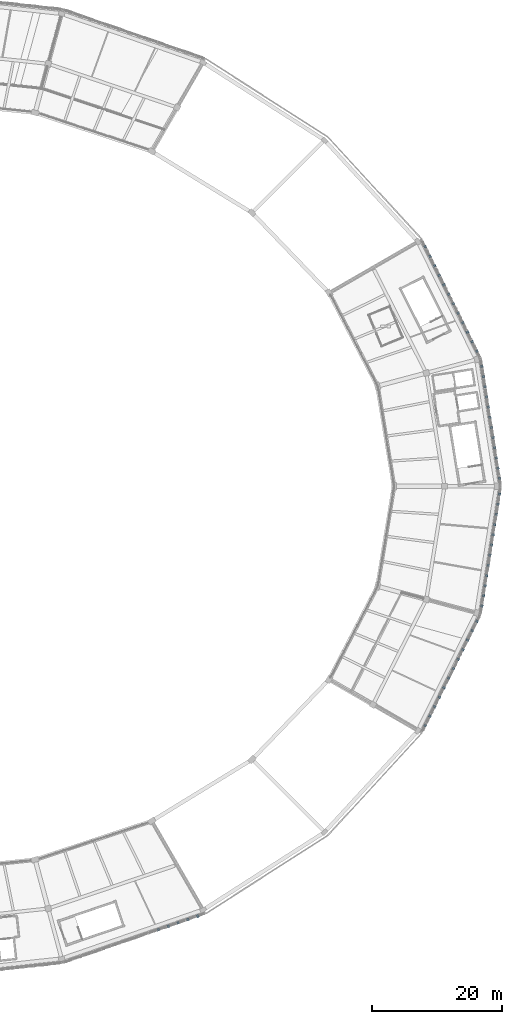
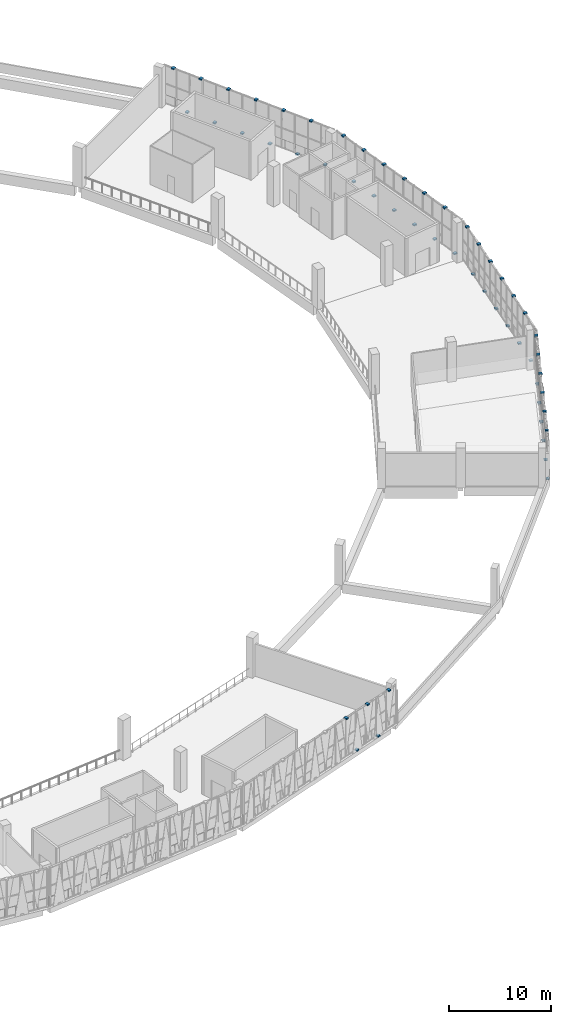
# One storey, part 53 of 64: 53 discrete accessories.
"""IFC4 building model written with IfcOpenShell, lengths in metres."""

from ifc_helpers import new_model, si_unit, direction, frame, origin, origin_2d, place, context, subcontext, project, spatial, rectangle, extrude, material, layer, layer_set, type_object, element, save


model = new_model("IFC4")

# Units and contexts
model_context = context("Model", 3, precision=1e-05, world=origin(), true_north=direction((0.0, 1.0)))
body_context = subcontext(model_context, "Body", "Model", "MODEL_VIEW")
ifc_project = project(units=[si_unit("LENGTHUNIT", "METRE"), si_unit("AREAUNIT", "SQUARE_METRE"), si_unit("VOLUMEUNIT", "CUBIC_METRE"), si_unit("PLANEANGLEUNIT", "RADIAN"), si_unit("MASSUNIT", "GRAM", prefix="KILO")], contexts=[model_context])

# Site, building, storey
site_placement = place(None, origin())
site = spatial("IfcSite", under=ifc_project, at=site_placement, CompositionType="ELEMENT")
building_placement = place(site_placement, origin())
building = spatial("IfcBuilding", under=site, at=building_placement, Name="Zevraka Park Crest Stadium", CompositionType="ELEMENT")
storey_placement = place(building_placement, frame((0.0, 0.0, 24.60009765625)))
storey = spatial("IfcBuildingStorey", under=building, at=storey_placement, Name="L05", CompositionType="ELEMENT", Elevation=24.60009765625)

# Discrete accessories
ifc_material = material(Name="Galvanised steel bracketry", Category="steel")
ifc_layer = layer(ifc_material, 0.1201171875)
ifc_layer_set = layer_set([ifc_layer], Name="Galvanised steel bracketry")
discrete_accessory_type = type_object("IfcDiscreteAccessoryType", Name="BRK01", PredefinedType="BRACKET", material=ifc_layer_set)
for number, where, z_axis, x_axis, name in (
    (1, (202.748046875, 93.218017578125, -0.16015625), (0.0, 0.0, 1.0), (-0.155744890433, 0.987797311752, 0.0), "Bronze Screen Carrier Bracket BRK01 L05-00-1"),
    (2, (202.5009765625, 94.782958984375, 4.47998046875), (0.0, 0.0, 1.0), (-0.155744890433, 0.987797311752, 0.0), "Bronze Screen Carrier Bracket BRK01 L05-00-2"),
    (3, (202.25390625, 96.347900390625, -0.16015625), (0.0, 0.0, 1.0), (-0.155744890433, 0.987797311752, 0.0), "Bronze Screen Carrier Bracket BRK01 L05-00-3"),
    (4, (202.007080078125, 97.9130859375, 4.47998046875), (0.0, 0.0, 1.0), (-0.155744890433, 0.987797311752, 0.0), "Bronze Screen Carrier Bracket BRK01 L05-00-4"),
    (5, (201.760986328125, 99.47802734375, -0.16015625), (0.0, 0.0, 1.0), (-0.155744890433, 0.987797311752, 0.0), "Bronze Screen Carrier Bracket BRK01 L05-00-5"),
    (6, (201.513916015625, 101.04296875, 4.47998046875), (0.0, 0.0, 1.0), (-0.155744890433, 0.987797311752, 0.0), "Bronze Screen Carrier Bracket BRK01 L05-00-6"),
    (7, (201.26708984375, 102.60888671875, -0.16015625), (0.0, 0.0, 1.0), (-0.155744890433, 0.987797311752, 0.0), "Bronze Screen Carrier Bracket BRK01 L05-00-7"),
    (8, (201.02001953125, 104.174072265625, 4.47998046875), (0.0, 0.0, 1.0), (-0.155744890433, 0.987797311752, 0.0), "Bronze Screen Carrier Bracket BRK01 L05-00-8"),
    (9, (200.77392578125, 105.739013671875, -0.16015625), (0.0, 0.0, 1.0), (-0.155744890433, 0.987797311752, 0.0), "Bronze Screen Carrier Bracket BRK01 L05-00-9"),
    (10, (200.527099609375, 107.303955078125, 4.47998046875), (0.0, 0.0, 1.0), (-0.155744890433, 0.987797311752, 0.0), "Bronze Screen Carrier Bracket BRK01 L05-00-10"),
    (11, (200.280029296875, 108.868896484375, -0.16015625), (0.0, 0.0, 1.0), (-0.155744890433, 0.987797311752, 0.0), "Bronze Screen Carrier Bracket BRK01 L05-00-11"),
    (12, (200.032958984375, 110.43408203125, 4.47998046875), (0.0, 0.0, 1.0), (-0.155744890433, 0.987797311752, 0.0), "Bronze Screen Carrier Bracket BRK01 L05-00-12"),
    (13, (199.282958984375, 112.77587890625, -0.16015625), (0.0, 0.0, 1.0), (-0.444322489715, 0.895866912623, 0.0), "Bronze Screen Carrier Bracket BRK01 L05-01-1"),
    (14, (198.55908203125, 114.237060546875, 4.47998046875), (0.0, 0.0, 1.0), (-0.444322489715, 0.895866912623, 0.0), "Bronze Screen Carrier Bracket BRK01 L05-01-2"),
    (15, (197.833984375, 115.697021484375, -0.16015625), (0.0, 0.0, 1.0), (-0.444322489715, 0.895866912623, 0.0), "Bronze Screen Carrier Bracket BRK01 L05-01-3"),
    (16, (197.110107421875, 117.156982421875, 4.47998046875), (0.0, 0.0, 1.0), (-0.444322489715, 0.895866912623, 0.0), "Bronze Screen Carrier Bracket BRK01 L05-01-4"),
    (17, (196.385986328125, 118.617919921875, -0.16015625), (0.0, 0.0, 1.0), (-0.444322489715, 0.895866912623, 0.0), "Bronze Screen Carrier Bracket BRK01 L05-01-5"),
    (18, (195.662109375, 120.077880859375, 4.47998046875), (0.0, 0.0, 1.0), (-0.444322489715, 0.895866912623, 0.0), "Bronze Screen Carrier Bracket BRK01 L05-01-6"),
    (19, (194.93701171875, 121.5380859375, -0.16015625), (0.0, 0.0, 1.0), (-0.444322489715, 0.895866912623, 0.0), "Bronze Screen Carrier Bracket BRK01 L05-01-7"),
    (20, (194.212890625, 122.998046875, 4.47998046875), (0.0, 0.0, 1.0), (-0.444322489715, 0.895866912623, 0.0), "Bronze Screen Carrier Bracket BRK01 L05-01-8"),
    (21, (193.489013671875, 124.458984375, -0.16015625), (0.0, 0.0, 1.0), (-0.444322489715, 0.895866912623, 0.0), "Bronze Screen Carrier Bracket BRK01 L05-01-9"),
    (22, (192.764892578125, 125.9189453125, 4.47998046875), (0.0, 0.0, 1.0), (-0.444322489715, 0.895866912623, 0.0), "Bronze Screen Carrier Bracket BRK01 L05-01-10"),
    (23, (192.0400390625, 127.37890625, -0.16015625), (0.0, 0.0, 1.0), (-0.444322489715, 0.895866912623, 0.0), "Bronze Screen Carrier Bracket BRK01 L05-01-11"),
    (24, (191.31591796875, 128.840087890625, 4.47998046875), (0.0, 0.0, 1.0), (-0.444322489715, 0.895866912623, 0.0), "Bronze Screen Carrier Bracket BRK01 L05-01-12"),
    (25, (150.27392578125, 23.74609375, 4.47998046875), (0.0, 0.0, 1.0), (0.94506307518, 0.326888029655, 0.0), "Bronze Screen Carrier Bracket BRK01 L05-19-10"),
    (26, (151.781005859375, 24.26708984375, -0.16015625), (0.0, 0.0, 1.0), (0.94506307518, 0.326888029655, 0.0), "Bronze Screen Carrier Bracket BRK01 L05-19-11"),
    (27, (153.2880859375, 24.7890625, 4.47998046875), (0.0, 0.0, 1.0), (0.94506307518, 0.326888029655, 0.0), "Bronze Screen Carrier Bracket BRK01 L05-19-12"),
    (28, (154.7939453125, 25.31005859375, -0.16015625), (0.0, 0.0, 1.0), (0.94506307518, 0.326888029655, 0.0), "Bronze Screen Carrier Bracket BRK01 L05-19-13"),
    (29, (156.301025390625, 25.8310546875, 4.47998046875), (0.0, 0.0, 1.0), (0.94506307518, 0.326888029655, 0.0), "Bronze Screen Carrier Bracket BRK01 L05-19-14"),
    (30, (191.31591796875, 55.159912109375, -0.16015625), (0.0, 0.0, 1.0), (0.444322489715, 0.895866912623, 0.0), "Bronze Screen Carrier Bracket BRK01 L05-22-1"),
    (31, (192.0400390625, 56.62109375, 4.47998046875), (0.0, 0.0, 1.0), (0.444322489715, 0.895866912623, 0.0), "Bronze Screen Carrier Bracket BRK01 L05-22-2"),
    (32, (192.764892578125, 58.0810546875, -0.16015625), (0.0, 0.0, 1.0), (0.444322489715, 0.895866912623, 0.0), "Bronze Screen Carrier Bracket BRK01 L05-22-3"),
    (33, (193.489013671875, 59.541015625, 4.47998046875), (0.0, 0.0, 1.0), (0.444322489715, 0.895866912623, 0.0), "Bronze Screen Carrier Bracket BRK01 L05-22-4"),
    (34, (194.212890625, 61.001953125, -0.16015625), (0.0, 0.0, 1.0), (0.444322489715, 0.895866912623, 0.0), "Bronze Screen Carrier Bracket BRK01 L05-22-5"),
    (35, (194.93701171875, 62.4619140625, 4.47998046875), (0.0, 0.0, 1.0), (0.444322489715, 0.895866912623, 0.0), "Bronze Screen Carrier Bracket BRK01 L05-22-6"),
    (36, (195.662109375, 63.922119140625, -0.16015625), (0.0, 0.0, 1.0), (0.444322489715, 0.895866912623, 0.0), "Bronze Screen Carrier Bracket BRK01 L05-22-7"),
    (37, (196.385986328125, 65.382080078125, 4.47998046875), (0.0, 0.0, 1.0), (0.444322489715, 0.895866912623, 0.0), "Bronze Screen Carrier Bracket BRK01 L05-22-8"),
    (38, (197.110107421875, 66.843017578125, -0.16015625), (0.0, 0.0, 1.0), (0.444322489715, 0.895866912623, 0.0), "Bronze Screen Carrier Bracket BRK01 L05-22-9"),
    (39, (197.833984375, 68.302978515625, 4.47998046875), (0.0, 0.0, 1.0), (0.444322489715, 0.895866912623, 0.0), "Bronze Screen Carrier Bracket BRK01 L05-22-10"),
    (40, (198.55908203125, 69.762939453125, -0.16015625), (0.0, 0.0, 1.0), (0.444322489715, 0.895866912623, 0.0), "Bronze Screen Carrier Bracket BRK01 L05-22-11"),
    (41, (199.282958984375, 71.22412109375, 4.47998046875), (0.0, 0.0, 1.0), (0.444322489715, 0.895866912623, 0.0), "Bronze Screen Carrier Bracket BRK01 L05-22-12"),
    (42, (200.032958984375, 73.56591796875, -0.16015625), (0.0, 0.0, 1.0), (0.155744890433, 0.987797311752, 0.0), "Bronze Screen Carrier Bracket BRK01 L05-23-1"),
    (43, (200.280029296875, 75.131103515625, 4.47998046875), (0.0, 0.0, 1.0), (0.155744890433, 0.987797311752, 0.0), "Bronze Screen Carrier Bracket BRK01 L05-23-2"),
    (44, (200.527099609375, 76.696044921875, -0.16015625), (0.0, 0.0, 1.0), (0.155744890433, 0.987797311752, 0.0), "Bronze Screen Carrier Bracket BRK01 L05-23-3"),
    (45, (200.77392578125, 78.260986328125, 4.47998046875), (0.0, 0.0, 1.0), (0.155744890433, 0.987797311752, 0.0), "Bronze Screen Carrier Bracket BRK01 L05-23-4"),
    (46, (201.02001953125, 79.825927734375, -0.16015625), (0.0, 0.0, 1.0), (0.155744890433, 0.987797311752, 0.0), "Bronze Screen Carrier Bracket BRK01 L05-23-5"),
    (47, (201.26708984375, 81.39111328125, 4.47998046875), (0.0, 0.0, 1.0), (0.155744890433, 0.987797311752, 0.0), "Bronze Screen Carrier Bracket BRK01 L05-23-6"),
    (48, (201.513916015625, 82.95703125, -0.16015625), (0.0, 0.0, 1.0), (0.155744890433, 0.987797311752, 0.0), "Bronze Screen Carrier Bracket BRK01 L05-23-7"),
    (49, (201.760986328125, 84.52197265625, 4.47998046875), (0.0, 0.0, 1.0), (0.155744890433, 0.987797311752, 0.0), "Bronze Screen Carrier Bracket BRK01 L05-23-8"),
    (50, (202.007080078125, 86.0869140625, -0.16015625), (0.0, 0.0, 1.0), (0.155744890433, 0.987797311752, 0.0), "Bronze Screen Carrier Bracket BRK01 L05-23-9"),
    (51, (202.25390625, 87.652099609375, 4.47998046875), (0.0, 0.0, 1.0), (0.155744890433, 0.987797311752, 0.0), "Bronze Screen Carrier Bracket BRK01 L05-23-10"),
    (52, (202.5009765625, 89.217041015625, -0.16015625), (0.0, 0.0, 1.0), (0.155744890433, 0.987797311752, 0.0), "Bronze Screen Carrier Bracket BRK01 L05-23-11"),
    (53, (202.748046875, 90.781982421875, 4.47998046875), (0.0, 0.0, 1.0), (0.155744890433, 0.987797311752, 0.0), "Bronze Screen Carrier Bracket BRK01 L05-23-12"),
):
    element("IfcDiscreteAccessory", number, at=place(storey_placement, frame(where, z_axis=z_axis, x_axis=x_axis)), inside=storey, type_object=discrete_accessory_type, Name=name, PredefinedType="BRACKET", context=body_context, shape_type="SweptSolid", body=[
        extrude(rectangle(XDim=0.320068359375, YDim=0.360107421875, at=origin_2d()), origin(), (0.0, 0.0, 1.0), 0.159912109375),
    ])

save(model, "model.ifc")
